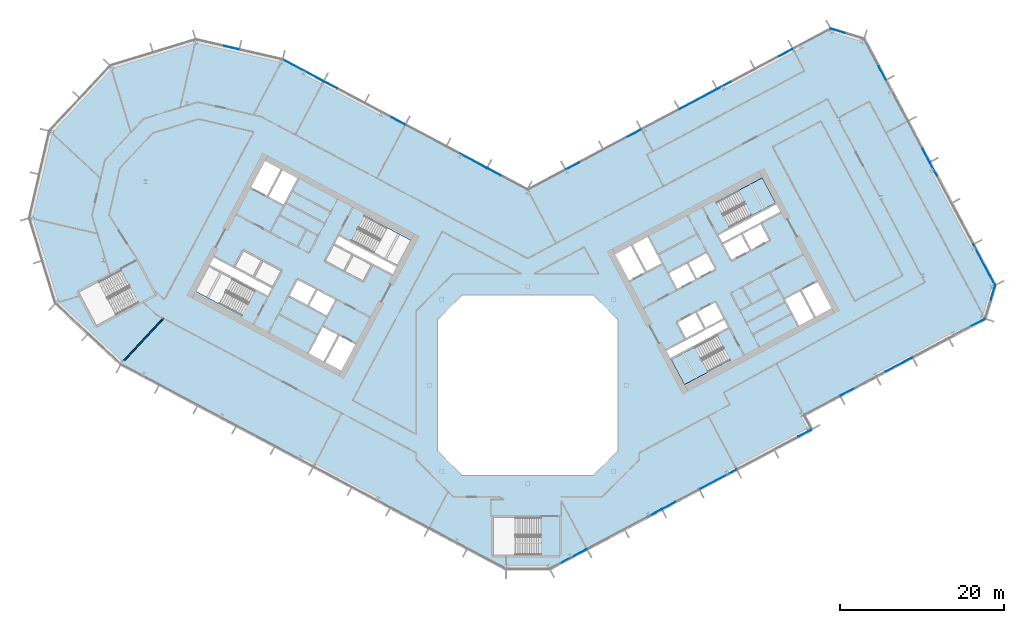
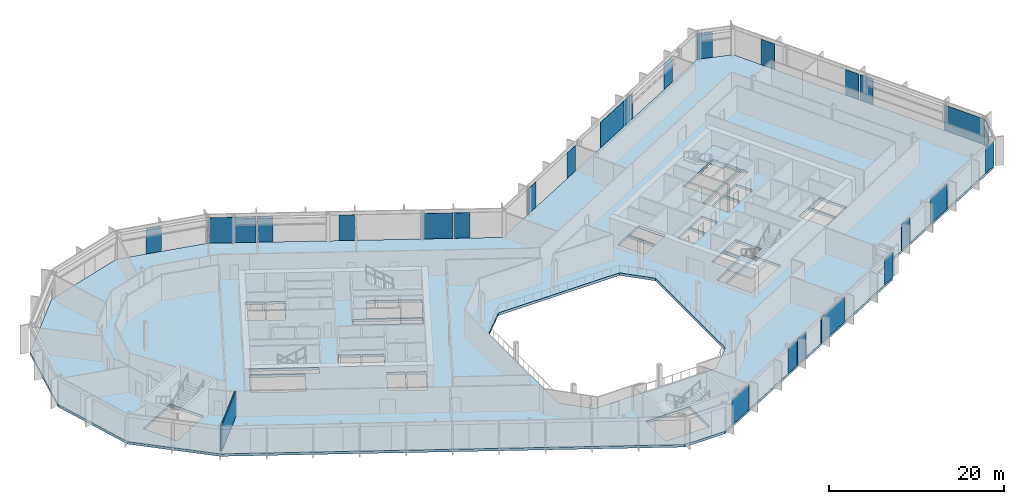
# One storey, part 12 of 28: 25 plates, 3 slabs, 1 wall, 10 elements without a shape of their own.
"""IFC4 building model written with IfcOpenShell, lengths in metres."""

import ifcopenshell
import ifcopenshell.guid

model = None  # the IFC model being written
_history = None  # IfcOwnerHistory: only IFC2X3 demands one
_inside = {}  # id of a spatial element -> (the spatial element, [elements in it])
_under = {}  # id of a project, library or spatial element -> (it, [spatial elements below it])
_declared = {}  # id of a project -> (the project, [libraries it declares])
_typed = {}  # id of a type object -> (the type object, [elements of that type])
_made_of = {}  # id of a material, layer set ... -> (it, [elements and type objects made of it])


def new_model(schema):
    """Start an empty IFC model of exactly this schema.

    Asked for "IFC4X3", IfcOpenShell would pick the latest addendum, in which some entities
    have other attributes; the version numbers below select the first issue.
    IFC2X3 requires an IfcOwnerHistory on every rooted entity: one is made here for all.
    """
    global model, _history
    if schema == "IFC4X3":
        model = ifcopenshell.file(schema_version=(4, 3, 0, 0))
    else:
        model = ifcopenshell.file(schema=schema)
    _inside.clear()
    _under.clear()
    _declared.clear()
    _typed.clear()
    _made_of.clear()
    _history = None
    if model.schema == "IFC2X3":
        org = make("IfcOrganization", Name="unknown")
        user = make(
            "IfcPersonAndOrganization",
            ThePerson=make("IfcPerson", FamilyName="unknown"),
            TheOrganization=org,
        )
        app = make(
            "IfcApplication",
            ApplicationDeveloper=org,
            Version="unknown",
            ApplicationFullName="unknown",
            ApplicationIdentifier="unknown",
        )
        _history = make(
            "IfcOwnerHistory",
            OwningUser=user,
            OwningApplication=app,
            ChangeAction="ADDED",
            CreationDate=0,
        )
    return model


def make(cls, **values):
    """One entity of the class cls with the attributes given. An attribute that is None is left unset."""
    return model.create_entity(
        cls, **{name: value for name, value in values.items() if value is not None}
    )


def rooted(cls, **values):
    """An entity with a GlobalId (a new one), such as an element, a storey or a relation."""
    return make(cls, GlobalId=ifcopenshell.guid.new(), OwnerHistory=_history, **values)


def si_unit(unit_type, name, prefix=None):
    """IfcSIUnit, for example si_unit("LENGTHUNIT", "METRE", prefix="MILLI")."""
    return make("IfcSIUnit", UnitType=unit_type, Prefix=prefix, Name=name)


def assignment(units):
    """IfcUnitAssignment: the units of a project."""
    return None if units is None else make("IfcUnitAssignment", Units=units)


def point(xyz):
    """IfcCartesianPoint."""
    return None if xyz is None else make("IfcCartesianPoint", Coordinates=xyz)


def direction(xyz):
    """IfcDirection."""
    return None if xyz is None else make("IfcDirection", DirectionRatios=xyz)


def frame(location, z_axis=None, x_axis=None):
    """IfcAxis2Placement3D, a coordinate frame: its origin and axes. An axis left out is left unset."""
    return make(
        "IfcAxis2Placement3D",
        Location=point(location),
        Axis=direction(z_axis),
        RefDirection=direction(x_axis),
    )


def frame_2d(location, x_axis=None):
    """IfcAxis2Placement2D, a coordinate frame in the plane: its origin and x axis."""
    return make(
        "IfcAxis2Placement2D", Location=point(location), RefDirection=direction(x_axis)
    )


def origin():
    """The frame at (0, 0, 0) with its axes left unset."""
    return frame((0.0, 0.0, 0.0))


def origin_2d():
    """The frame at (0, 0) in the plane with its x axis left unset."""
    return frame_2d((0.0, 0.0))


def place(relative_to, where):
    """IfcLocalPlacement: puts the frame where relative to a parent placement (None: the world)."""
    return make(
        "IfcLocalPlacement", PlacementRelTo=relative_to, RelativePlacement=where
    )


def context(
    kind, dimensions, precision=None, world=None, true_north=None, identifier=None
):
    """IfcGeometricRepresentationContext, for example the 3D "Model" context."""
    return make(
        "IfcGeometricRepresentationContext",
        ContextIdentifier=identifier,
        ContextType=kind,
        CoordinateSpaceDimension=dimensions,
        Precision=precision,
        WorldCoordinateSystem=world,
        TrueNorth=true_north,
    )


def subcontext(parent, identifier, kind, view, scale=None):
    """IfcGeometricRepresentationSubContext, for example "Body" below "Model"."""
    return make(
        "IfcGeometricRepresentationSubContext",
        ContextIdentifier=identifier,
        ContextType=kind,
        ParentContext=parent,
        TargetScale=scale,
        TargetView=view,
    )


def project(units=None, contexts=None):
    """IfcProject with its units and contexts."""
    return rooted(
        "IfcProject",
        Name="project",
        RepresentationContexts=contexts,
        UnitsInContext=assignment(units),
    )


def spatial(cls, under=None, at=None, **own):
    """A site, building, storey or space (cls), placed at a placement, below another one or the project."""
    s = rooted(cls, ObjectPlacement=at, **own)
    if under is not None:
        _under.setdefault(under.id(), (under, []))[1].append(s)
    return s


def polyline(points):
    """IfcPolyline through the points."""
    return make("IfcPolyline", Points=[point(p) for p in points])


def profile(cls, at=None, kind="AREA", **sizes):
    """A parametric profile (cls). Its sizes go by their IFC names, for example OverallWidth=200.0."""
    return make(cls, ProfileType=kind, Position=at, **sizes)


def rectangle(**sizes):
    """IfcRectangleProfileDef."""
    return profile("IfcRectangleProfileDef", **sizes)


def outline(outer, holes=None, kind="AREA"):
    """IfcArbitraryClosedProfileDef: a profile drawn as a closed curve; with holes, ...WithVoids."""
    if holes is None:
        return make("IfcArbitraryClosedProfileDef", ProfileType=kind, OuterCurve=outer)
    return make(
        "IfcArbitraryProfileDefWithVoids",
        ProfileType=kind,
        OuterCurve=outer,
        InnerCurves=holes,
    )


def extrude(swept, where, along, depth):
    """IfcExtrudedAreaSolid: the profile swept, set in the frame where, extruded along a direction by depth."""
    return make(
        "IfcExtrudedAreaSolid",
        SweptArea=swept,
        Position=where,
        ExtrudedDirection=direction(along),
        Depth=depth,
    )


def shape(context_of_items, identifier, shape_type, items):
    """IfcShapeRepresentation: the items that make up one representation, for example the "Body"."""
    return make(
        "IfcShapeRepresentation",
        ContextOfItems=context_of_items,
        RepresentationIdentifier=identifier,
        RepresentationType=shape_type,
        Items=items,
    )


def material(Name=None, Category=None):
    """IfcMaterial."""
    return make("IfcMaterial", Name=Name, Category=Category)


def layer(
    of_material, thickness, ventilated=None, Name=None, Category=None, Priority=None
):
    """IfcMaterialLayer: one layer of a wall or slab, of a material (None: an air gap)."""
    return make(
        "IfcMaterialLayer",
        Material=of_material,
        LayerThickness=thickness,
        IsVentilated=ventilated,
        Name=Name,
        Category=Category,
        Priority=Priority,
    )


def layer_set(layers, Name=None):
    """IfcMaterialLayerSet."""
    return make("IfcMaterialLayerSet", MaterialLayers=layers, LayerSetName=Name)


def made_of(thing, what):
    """Note that an element or type object is made of a material, layer set ...; save() writes the relation."""
    if what is not None:
        _made_of.setdefault(what.id(), (what, []))[1].append(thing)
    return thing


def type_object(cls, material=None, **own):
    """A type object (cls), such as IfcWallType, which elements share."""
    return made_of(rooted(cls, **own), material)


def element(
    cls,
    number,
    at=None,
    inside=None,
    cuts=None,
    type_object=None,
    material=None,
    context=None,
    identifier="Body",
    shape_type=None,
    held_by="IfcProductDefinitionShape",
    body=None,
    shapes=None,
    **own,
):
    """One element of the class cls, such as IfcWall. Its Tag is "e" and its number.

    at: its placement. inside: the storey or other place that contains it. cuts: it is an
    opening in that element (IfcRelVoidsElement). A single representation is given by context,
    identifier, shape_type and body (its items); several are given by shapes. held_by: the class
    of the entity that holds the representations. save() writes the other relations.
    """
    e = rooted(cls, Tag="e%d" % number, ObjectPlacement=at, **own)
    if body is not None:
        shapes = [shape(context, identifier, shape_type, body)]
    if shapes is not None:
        e.Representation = make(held_by, Representations=shapes)
    if inside is not None:
        _inside.setdefault(inside.id(), (inside, []))[1].append(e)
    if cuts is not None:
        rooted(
            "IfcRelVoidsElement", RelatingBuildingElement=cuts, RelatedOpeningElement=e
        )
    if type_object is not None:
        _typed.setdefault(type_object.id(), (type_object, []))[1].append(e)
    return made_of(e, material)


def aggregate(whole, parts):
    """IfcRelAggregates: a whole, such as a stair, and the parts it consists of."""
    return rooted("IfcRelAggregates", RelatingObject=whole, RelatedObjects=parts)


def save(model, path):
    """Write the relations noted so far, then the file.

    IfcRelAggregates (storeys below a building ...), IfcRelContainedInSpatialStructure (elements
    in a storey), IfcRelDefinesByType, IfcRelAssociatesMaterial and IfcRelDeclares: one each for
    every whole, place, type object, material and project.
    """
    for whole, parts in _under.values():
        aggregate(whole, parts)
    for where, things in _inside.values():
        rooted(
            "IfcRelContainedInSpatialStructure",
            RelatedElements=things,
            RelatingStructure=where,
        )
    for kind, things in _typed.values():
        rooted("IfcRelDefinesByType", RelatedObjects=things, RelatingType=kind)
    for what, things in _made_of.values():
        rooted("IfcRelAssociatesMaterial", RelatedObjects=things, RelatingMaterial=what)
    for by, libraries in _declared.values():
        rooted("IfcRelDeclares", RelatingContext=by, RelatedDefinitions=libraries)
    model.write(path)


model = new_model("IFC4")

# Units and contexts
model_context = context("Model", 3, precision=1e-05, world=origin(), true_north=direction((0.0, 1.0)))
body_context = subcontext(model_context, "Body", "Model", "MODEL_VIEW")
ifc_project = project(units=[si_unit("LENGTHUNIT", "METRE"), si_unit("AREAUNIT", "SQUARE_METRE"), si_unit("VOLUMEUNIT", "CUBIC_METRE"), si_unit("PLANEANGLEUNIT", "RADIAN"), si_unit("MASSUNIT", "GRAM", prefix="KILO")], contexts=[model_context])

# Site, building, storey
site_placement = place(None, origin())
site = spatial("IfcSite", under=ifc_project, at=site_placement, CompositionType="ELEMENT")
building_placement = place(site_placement, origin())
building = spatial("IfcBuilding", under=site, at=building_placement, Name="Cormorant Relay Tower", CompositionType="ELEMENT")
storey_placement = place(building_placement, frame((0.0, 0.0, 174.199951171875)))
storey = spatial("IfcBuildingStorey", under=building, at=storey_placement, Name="L37", CompositionType="ELEMENT", Elevation=174.199951171875)

# Curtain wall, plates
ifc_material_1 = material(Name="Aluminium 6063-T6 anodised bronze", Category="aluminium")
ifc_layer_1 = layer(ifc_material_1, 0.199951171875)
ifc_layer_set_1 = layer_set([ifc_layer_1], Name="CW1 unitised bronze curtain wall with vertical fins")
curtain_wall_type = type_object("IfcCurtainWallType", Name="CW1 unitised bronze curtain wall with vertical fins", PredefinedType="NOTDEFINED", material=ifc_layer_set_1)
curtain_wall_1_placement = place(storey_placement, origin())
curtain_wall_1 = element("IfcCurtainWall", 1, at=curtain_wall_1_placement, inside=storey, type_object=curtain_wall_type, Name="CW1 curtain wall 2", PredefinedType="NOTDEFINED")
ifc_material_2 = material(Name="Tinted laminated glass", Category="glass")
ifc_layer_2 = layer(ifc_material_2, 0.0400390625)
ifc_layer_set_2 = layer_set([ifc_layer_2], Name="CW1 tinted vision panel 1800 module")
plate_type_1 = type_object("IfcPlateType", Name="CW1 tinted vision panel 1800 module", PredefinedType="CURTAIN_PANEL", material=ifc_layer_set_2)
plate_1_placement = place(storey_placement, frame((15.48291015625, -15.57421875, 0.0), z_axis=(0.0, 0.0, 1.0), x_axis=(0.882947592859, 0.469471562786, 0.0)))
plate_1 = element("IfcPlate", 2, at=plate_1_placement, type_object=plate_type_1, Name="CW1 panel V03", PredefinedType="CURTAIN_PANEL", context=body_context, shape_type="SweptSolid", body=[
    extrude(rectangle(XDim=1.800048828125, YDim=0.0400390625, at=origin_2d()), origin(), (0.0, 0.0, 1.0), 3.550048828125),
])
plate_2_placement = place(storey_placement, frame((17.20458984375, -14.65869140625, 0.0), z_axis=(0.0, 0.0, 1.0), x_axis=(0.882947592859, 0.469471562786, 0.0)))
plate_2 = element("IfcPlate", 3, at=plate_2_placement, type_object=plate_type_1, Name="CW1 panel V04", PredefinedType="CURTAIN_PANEL", context=body_context, shape_type="SweptSolid", body=[
    extrude(rectangle(XDim=1.800048828125, YDim=0.0400390625, at=origin_2d()), origin(), (0.0, 0.0, 1.0), 3.550048828125),
])
plate_3_placement = place(storey_placement, frame((33.796142578125, -5.8369140625, 0.0), z_axis=(0.0, 0.0, 1.0), x_axis=(0.882947592859, 0.469471562786, 0.0)))
plate_3 = element("IfcPlate", 4, at=plate_3_placement, type_object=plate_type_1, Name="CW1 panel V08", PredefinedType="CURTAIN_PANEL", context=body_context, shape_type="SweptSolid", body=[
    extrude(rectangle(XDim=1.800048828125, YDim=0.0400390625, at=origin_2d()), origin(), (0.0, 0.0, 1.0), 3.550048828125),
])

curtain_wall_2_placement = place(storey_placement, origin())
curtain_wall_2 = element("IfcCurtainWall", 5, at=curtain_wall_2_placement, inside=storey, type_object=curtain_wall_type, Name="CW1 curtain wall 4", PredefinedType="NOTDEFINED")
plate_4_placement = place(storey_placement, frame((38.927490234375, -0.843505859375, 0.0), z_axis=(0.0, 0.0, 1.0), x_axis=(0.882947592859, 0.469471562786, 0.0)))
plate_4 = element("IfcPlate", 6, at=plate_4_placement, type_object=plate_type_1, Name="CW1 panel V01", PredefinedType="CURTAIN_PANEL", context=body_context, shape_type="SweptSolid", body=[
    extrude(rectangle(XDim=1.800048828125, YDim=0.0400390625, at=origin_2d()), origin(), (0.0, 0.0, 1.0), 3.550048828125),
])
plate_5_placement = place(storey_placement, frame((54.930908203125, 7.665771484375, 0.0), z_axis=(0.0, 0.0, 1.0), x_axis=(0.882947592859, 0.469471562786, 0.0)))
plate_5 = element("IfcPlate", 7, at=plate_5_placement, type_object=plate_type_1, Name="CW1 panel V05", PredefinedType="CURTAIN_PANEL", context=body_context, shape_type="SweptSolid", body=[
    extrude(rectangle(XDim=1.800048828125, YDim=0.0400390625, at=origin_2d()), origin(), (0.0, 0.0, 1.0), 3.550048828125),
])

# Curtain wall, plate
curtain_wall_3_placement = place(storey_placement, origin())
curtain_wall_3 = element("IfcCurtainWall", 8, at=curtain_wall_3_placement, inside=storey, type_object=curtain_wall_type, Name="CW1 curtain wall 5", PredefinedType="NOTDEFINED")
plate_6_placement = place(storey_placement, frame((56.712646484375, 11.296630859375, 0.0), z_axis=(0.0, 0.0, 1.0), x_axis=(0.292371704723, 0.956304755963, 0.0)))
plate_6 = element("IfcPlate", 9, at=plate_6_placement, type_object=plate_type_1, Name="CW1 panel V01", PredefinedType="CURTAIN_PANEL", context=body_context, shape_type="SweptSolid", body=[
    extrude(rectangle(XDim=1.800048828125, YDim=0.0400390625, at=origin_2d()), origin(), (0.0, 0.0, 1.0), 3.550048828125),
])
aggregate(curtain_wall_3, [plate_6])

# Curtain wall, plates
curtain_wall_4_placement = place(storey_placement, origin())
curtain_wall_4 = element("IfcCurtainWall", 10, at=curtain_wall_4_placement, inside=storey, type_object=curtain_wall_type, Name="CW1 curtain wall 6", PredefinedType="NOTDEFINED")
plate_7_placement = place(storey_placement, frame((49.450927734375, 26.322021484375, 0.0), z_axis=(0.0, 0.0, 1.0), x_axis=(-0.469471562786, 0.882947592859, 0.0)))
plate_7 = element("IfcPlate", 11, at=plate_7_placement, type_object=plate_type_1, Name="CW1 panel V02", PredefinedType="CURTAIN_PANEL", context=body_context, shape_type="SweptSolid", body=[
    extrude(rectangle(XDim=1.800048828125, YDim=0.0400390625, at=origin_2d()), origin(), (0.0, 0.0, 1.0), 3.550048828125),
])
plate_8_placement = place(storey_placement, frame((48.535400390625, 28.043701171875, 0.0), z_axis=(0.0, 0.0, 1.0), x_axis=(-0.469471562786, 0.882947592859, 0.0)))
plate_8 = element("IfcPlate", 12, at=plate_8_placement, type_object=plate_type_1, Name="CW1 panel V03", PredefinedType="CURTAIN_PANEL", context=body_context, shape_type="SweptSolid", body=[
    extrude(rectangle(XDim=1.800048828125, YDim=0.0400390625, at=origin_2d()), origin(), (0.0, 0.0, 1.0), 3.550048828125),
])
plate_9_placement = place(storey_placement, frame((43.21484375, 38.05029296875, 0.0), z_axis=(0.0, 0.0, 1.0), x_axis=(-0.469471562786, 0.882947592859, 0.0)))
plate_9 = element("IfcPlate", 13, at=plate_9_placement, type_object=plate_type_1, Name="CW1 panel V05", PredefinedType="CURTAIN_PANEL", context=body_context, shape_type="SweptSolid", body=[
    extrude(rectangle(XDim=1.800048828125, YDim=0.0400390625, at=origin_2d()), origin(), (0.0, 0.0, 1.0), 3.550048828125),
])

# Curtain wall, plate
curtain_wall_5_placement = place(storey_placement, origin())
curtain_wall_5 = element("IfcCurtainWall", 14, at=curtain_wall_5_placement, inside=storey, type_object=curtain_wall_type, Name="CW1 curtain wall 7", PredefinedType="NOTDEFINED")
plate_10_placement = place(storey_placement, frame((37.8037109375, 43.179931640625, 0.0), z_axis=(0.0, 0.0, 1.0), x_axis=(-0.956304755963, 0.292371704723, 0.0)))
plate_10 = element("IfcPlate", 15, at=plate_10_placement, type_object=plate_type_1, Name="CW1 panel V01", PredefinedType="CURTAIN_PANEL", context=body_context, shape_type="SweptSolid", body=[
    extrude(rectangle(XDim=1.800048828125, YDim=0.0400390625, at=origin_2d()), origin(), (0.0, 0.0, 1.0), 3.550048828125),
])
aggregate(curtain_wall_5, [plate_10])

# Curtain wall, plates
curtain_wall_6_placement = place(storey_placement, origin())
curtain_wall_6 = element("IfcCurtainWall", 16, at=curtain_wall_6_placement, inside=storey, type_object=curtain_wall_type, Name="CW1 curtain wall 8", PredefinedType="NOTDEFINED")
plate_11_placement = place(storey_placement, frame((31.449951171875, 40.52880859375, 0.0), z_axis=(0.0, 0.0, 1.0), x_axis=(-0.882947592859, -0.469471562786, 0.0)))
plate_11 = element("IfcPlate", 17, at=plate_11_placement, type_object=plate_type_1, Name="CW1 panel V01", PredefinedType="CURTAIN_PANEL", context=body_context, shape_type="SweptSolid", body=[
    extrude(rectangle(XDim=1.800048828125, YDim=0.0400390625, at=origin_2d()), origin(), (0.0, 0.0, 1.0), 3.550048828125),
])
plate_12_placement = place(storey_placement, frame((23.937255859375, 36.5341796875, 0.0), z_axis=(0.0, 0.0, 1.0), x_axis=(-0.882947592859, -0.469471562786, 0.0)))
plate_12 = element("IfcPlate", 18, at=plate_12_placement, type_object=plate_type_1, Name="CW1 panel V03", PredefinedType="CURTAIN_PANEL", context=body_context, shape_type="SweptSolid", body=[
    extrude(rectangle(XDim=1.800048828125, YDim=0.0400390625, at=origin_2d()), origin(), (0.0, 0.0, 1.0), 3.550048828125),
])
plate_13_placement = place(storey_placement, frame((12.981201171875, 30.708984375, 0.0), z_axis=(0.0, 0.0, 1.0), x_axis=(-0.882947592859, -0.469471562786, 0.0)))
plate_13 = element("IfcPlate", 19, at=plate_13_placement, type_object=plate_type_1, Name="CW1 panel V06", PredefinedType="CURTAIN_PANEL", context=body_context, shape_type="SweptSolid", body=[
    extrude(rectangle(XDim=1.800048828125, YDim=0.0400390625, at=origin_2d()), origin(), (0.0, 0.0, 1.0), 3.550048828125),
])
plate_14_placement = place(storey_placement, frame((5.468505859375, 26.71435546875, 0.0), z_axis=(0.0, 0.0, 1.0), x_axis=(-0.882947592859, -0.469471562786, 0.0)))
plate_14 = element("IfcPlate", 20, at=plate_14_placement, type_object=plate_type_1, Name="CW1 panel V08", PredefinedType="CURTAIN_PANEL", context=body_context, shape_type="SweptSolid", body=[
    extrude(rectangle(XDim=1.800048828125, YDim=0.0400390625, at=origin_2d()), origin(), (0.0, 0.0, 1.0), 3.550048828125),
])

curtain_wall_7_placement = place(storey_placement, origin())
curtain_wall_7 = element("IfcCurtainWall", 21, at=curtain_wall_7_placement, inside=storey, type_object=curtain_wall_type, Name="CW1 curtain wall 9", PredefinedType="NOTDEFINED")
plate_15_placement = place(storey_placement, frame((-4.108642578125, 25.9912109375, 0.0), z_axis=(0.0, 0.0, 1.0), x_axis=(-0.882947592859, 0.469471562786, 0.0)))
plate_15 = element("IfcPlate", 22, at=plate_15_placement, type_object=plate_type_1, Name="CW1 panel V01", PredefinedType="CURTAIN_PANEL", context=body_context, shape_type="SweptSolid", body=[
    extrude(rectangle(XDim=1.800048828125, YDim=0.0400390625, at=origin_2d()), origin(), (0.0, 0.0, 1.0), 3.550048828125),
])
plate_16_placement = place(storey_placement, frame((-15.788330078125, 32.201416015625, 0.0), z_axis=(0.0, 0.0, 1.0), x_axis=(-0.882947592859, 0.469471562786, 0.0)))
plate_16 = element("IfcPlate", 23, at=plate_16_placement, type_object=plate_type_1, Name="CW1 panel V04", PredefinedType="CURTAIN_PANEL", context=body_context, shape_type="SweptSolid", body=[
    extrude(rectangle(XDim=1.800048828125, YDim=0.0400390625, at=origin_2d()), origin(), (0.0, 0.0, 1.0), 3.550048828125),
])
plate_17_placement = place(storey_placement, frame((-24.0244140625, 36.580810546875, 0.0), z_axis=(0.0, 0.0, 1.0), x_axis=(-0.882947592859, 0.469471562786, 0.0)))
plate_17 = element("IfcPlate", 24, at=plate_17_placement, type_object=plate_type_1, Name="CW1 panel V06", PredefinedType="CURTAIN_PANEL", context=body_context, shape_type="SweptSolid", body=[
    extrude(rectangle(XDim=1.800048828125, YDim=0.0400390625, at=origin_2d()), origin(), (0.0, 0.0, 1.0), 3.550048828125),
])

# Curtain wall, plate
curtain_wall_8_placement = place(storey_placement, origin())
curtain_wall_8 = element("IfcCurtainWall", 25, at=curtain_wall_8_placement, inside=storey, type_object=curtain_wall_type, Name="CW1 curtain wall 10", PredefinedType="NOTDEFINED")
plate_18_placement = place(storey_placement, frame((-36.114990234375, 41.129638671875, 0.0), z_axis=(0.0, 0.0, 1.0), x_axis=(-0.974370064785, 0.224951054344, 0.0)))
plate_18 = element("IfcPlate", 26, at=plate_18_placement, type_object=plate_type_1, Name="CW1 panel V01", PredefinedType="CURTAIN_PANEL", context=body_context, shape_type="SweptSolid", body=[
    extrude(rectangle(XDim=1.800048828125, YDim=0.0400390625, at=origin_2d()), origin(), (0.0, 0.0, 1.0), 3.550048828125),
])
aggregate(curtain_wall_8, [plate_18])

# Plate
ifc_material_3 = material(Name="Tinted laminated glass", Category="glass")
ifc_layer_3 = layer(ifc_material_3, 0.0400390625)
ifc_layer_set_3 = layer_set([ifc_layer_3], Name="CW1 tinted vision panel 3600 module")
plate_type_2 = type_object("IfcPlateType", Name="CW1 tinted vision panel 3600 module", PredefinedType="CURTAIN_PANEL", material=ifc_layer_set_3)
plate_19_placement = place(storey_placement, frame((5.564453125, -20.847900390625, 0.0), z_axis=(0.0, 0.0, 1.0), x_axis=(0.882947592859, 0.469471562786, 0.0)))
plate_19 = element("IfcPlate", 27, at=plate_19_placement, type_object=plate_type_2, Name="CW1 panel V01", PredefinedType="CURTAIN_PANEL", context=body_context, shape_type="SweptSolid", body=[
    extrude(rectangle(XDim=3.60009765625, YDim=0.0400390625, at=origin_2d()), origin(), (0.0, 0.0, 1.0), 3.550048828125),
])

plate_20_placement = place(storey_placement, frame((45.240478515625, 2.513427734375, 0.0), z_axis=(0.0, 0.0, 1.0), x_axis=(0.882947592859, 0.469471562786, 0.0)))
plate_20 = element("IfcPlate", 28, at=plate_20_placement, type_object=plate_type_2, Name="CW1 panel V03", PredefinedType="CURTAIN_PANEL", context=body_context, shape_type="SweptSolid", body=[
    extrude(rectangle(XDim=3.60009765625, YDim=0.0400390625, at=origin_2d()), origin(), (0.0, 0.0, 1.0), 3.550048828125),
])

aggregate(curtain_wall_2, [plate_4, plate_20, plate_5])

plate_21_placement = place(storey_placement, frame((-6.625, 27.3291015625, 0.0), z_axis=(0.0, 0.0, 1.0), x_axis=(-0.882947592859, 0.469471562786, 0.0)))
plate_21 = element("IfcPlate", 29, at=plate_21_placement, type_object=plate_type_2, Name="CW1 panel V02", PredefinedType="CURTAIN_PANEL", context=body_context, shape_type="SweptSolid", body=[
    extrude(rectangle(XDim=3.60009765625, YDim=0.0400390625, at=origin_2d()), origin(), (0.0, 0.0, 1.0), 3.550048828125),
])

ifc_material_4 = material(Name="Tinted laminated glass", Category="glass")
ifc_layer_4 = layer(ifc_material_4, 0.0400390625)
ifc_layer_set_4 = layer_set([ifc_layer_4], Name="CW1 tinted vision panel 5400 module")
plate_type_3 = type_object("IfcPlateType", Name="CW1 tinted vision panel 5400 module", PredefinedType="CURTAIN_PANEL", material=ifc_layer_set_4)
plate_22_placement = place(storey_placement, frame((23.186279296875, -11.478271484375, 0.0), z_axis=(0.0, 0.0, 1.0), x_axis=(0.882947592859, 0.469471562786, 0.0)))
plate_22 = element("IfcPlate", 30, at=plate_22_placement, type_object=plate_type_3, Name="CW1 panel V06", PredefinedType="CURTAIN_PANEL", context=body_context, shape_type="SweptSolid", body=[
    extrude(rectangle(XDim=5.0166015625, YDim=0.0400390625, at=origin_2d()), origin(), (0.0, 0.0, 1.0), 3.550048828125),
])

aggregate(curtain_wall_1, [plate_19, plate_1, plate_2, plate_22, plate_3])

plate_23_placement = place(storey_placement, frame((55.64404296875, 14.67431640625, 0.0), z_axis=(0.0, 0.0, 1.0), x_axis=(-0.469471562786, 0.882947592859, 0.0)))
plate_23 = element("IfcPlate", 31, at=plate_23_placement, type_object=plate_type_3, Name="CW1 panel V00", PredefinedType="CURTAIN_PANEL", context=body_context, shape_type="SweptSolid", body=[
    extrude(rectangle(XDim=5.5166015625, YDim=0.0400390625, at=origin_2d()), origin(), (0.0, 0.0, 1.0), 3.550048828125),
])

aggregate(curtain_wall_4, [plate_23, plate_7, plate_8, plate_9])

plate_24_placement = place(storey_placement, frame((20.767822265625, 34.84912109375, 0.0), z_axis=(0.0, 0.0, 1.0), x_axis=(-0.882947592859, -0.469471562786, 0.0)))
plate_24 = element("IfcPlate", 32, at=plate_24_placement, type_object=plate_type_3, Name="CW1 panel V04", PredefinedType="CURTAIN_PANEL", context=body_context, shape_type="SweptSolid", body=[
    extrude(rectangle(XDim=5.079345703125, YDim=0.0400390625, at=origin_2d()), origin(), (0.0, 0.0, 1.0), 3.550048828125),
])

aggregate(curtain_wall_6, [plate_11, plate_12, plate_24, plate_13, plate_14])

plate_25_placement = place(storey_placement, frame((-27.407958984375, 38.379638671875, 0.0), z_axis=(0.0, 0.0, 1.0), x_axis=(-0.882947592859, 0.469471562786, 0.0)))
plate_25 = element("IfcPlate", 33, at=plate_25_placement, type_object=plate_type_3, Name="CW1 panel V07", PredefinedType="CURTAIN_PANEL", context=body_context, shape_type="SweptSolid", body=[
    extrude(rectangle(XDim=5.56396484375, YDim=0.0400390625, at=origin_2d()), origin(), (0.0, 0.0, 1.0), 3.550048828125),
])

aggregate(curtain_wall_7, [plate_15, plate_21, plate_16, plate_17, plate_25])

# Stair, slab
ifc_material_5 = material(Name="Concrete 40 MPa", Category="concrete")
stair_type = type_object("IfcStairType", Name="Exit stair 1500", PredefinedType="HALF_TURN_STAIR", material=ifc_material_5)
stair_1_placement = place(storey_placement, origin())
stair_1 = element("IfcStair", 34, at=stair_1_placement, inside=storey, type_object=stair_type, Name="L37 Stair", PredefinedType="HALF_TURN_STAIR")
ifc_material_6 = material(Name="Concrete 40 MPa", Category="concrete")
ifc_layer_5 = layer(ifc_material_6, 0.199951171875)
ifc_layer_set_5 = layer_set([ifc_layer_5], Name="Exit stair landing 200")
slab_type_1 = type_object("IfcSlabType", Name="Exit stair landing 200", PredefinedType="LANDING", material=ifc_layer_set_5)
slab_1_placement = place(storey_placement, frame((0.0, 0.0, 1.800048828125)))
slab_1 = element("IfcSlab", 35, at=slab_1_placement, type_object=slab_type_1, Name="B1 landing 1", PredefinedType="LANDING", context=body_context, shape_type="SweptSolid", body=[
    extrude(outline(polyline([(20.36767578125, 4.6572265625), (17.48046875, 3.1220703125), (19.10009765625, 0.075927734375), (21.9873046875, 1.611083984375), (20.36767578125, 4.6572265625)])), origin(), (0.0, 0.0, 1.0), 0.199951171875),
])
aggregate(stair_1, [slab_1])

stair_2_placement = place(storey_placement, origin())
stair_2 = element("IfcStair", 36, at=stair_2_placement, inside=storey, type_object=stair_type, Name="L37 Stair", PredefinedType="HALF_TURN_STAIR")
slab_2_placement = place(storey_placement, frame((0.0, 0.0, 1.800048828125)))
slab_2 = element("IfcSlab", 37, at=slab_2_placement, type_object=slab_type_1, Name="B2 landing 1", PredefinedType="LANDING", context=body_context, shape_type="SweptSolid", body=[
    extrude(outline(polyline([(27.3115234375, 20.6943359375), (30.19873046875, 22.2294921875), (28.5791015625, 25.275634765625), (25.69189453125, 23.740478515625), (27.3115234375, 20.6943359375)])), origin(), (0.0, 0.0, 1.0), 0.199951171875),
])
aggregate(stair_2, [slab_2])

# Slab
ifc_material_7 = material(Name="Concrete 40 MPa", Category="concrete")
ifc_layer_6 = layer(ifc_material_7, 0.360107421875)
ifc_layer_set_6 = layer_set([ifc_layer_6], Name="Flat plate 360")
slab_type_2 = type_object("IfcSlabType", Name="Flat plate 360", PredefinedType="FLOOR", material=ifc_layer_set_6)
slab_3_placement = place(storey_placement, frame((0.0, 0.0, -0.35986328125)))
element("IfcSlab", 38, at=slab_3_placement, inside=storey, type_object=slab_type_2, Name="Floor slab L37", PredefinedType="FLOOR", context=body_context, shape_type="SweptSolid", body=[
    extrude(outline(polyline([(-60.7197265625, 20.393310546875), (-58.2744140625, 30.985107421875), (-50.86083984375, 38.935302734375), (-40.465576171875, 42.11328125), (-29.873779296875, 39.668212890625), (0.0, 23.783935546875), (36.937255859375, 43.423828125), (40.99462890625, 42.18359375), (56.95654296875, 12.1630859375), (55.71630859375, 8.10595703125), (33.642578125, -3.630859375), (34.581298828125, -5.396728515625), (2.648681640625, -22.37548828125), (-2.648681640625, -22.37548828125), (-49.591552734375, 2.584228515625), (-57.541748046875, 9.997802734375), (-60.7197265625, 20.393310546875)]), holes=[polyline([(11.0, -8.0), (11.0, 8.0), (8.0, 11.0), (-8.0, 11.0), (-11.0, 8.0), (-11.0, -8.0), (-8.0, -11.0), (8.0, -11.0), (11.0, -8.0)]), polyline([(-4.199951171875, -16.125), (-4.199951171875, -20.675048828125), (1.60009765625, -20.675048828125), (1.60009765625, -16.125), (-4.199951171875, -16.125)]), polyline([(-22.95458984375, 6.03271484375), (-24.668212890625, 2.81005859375), (-22.725830078125, 1.777099609375), (-21.01220703125, 5.0), (-23.04296875, 6.07958984375), (-22.95458984375, 6.03271484375)]), polyline([(-24.985595703125, 7.112548828125), (-26.69921875, 3.889892578125), (-24.844970703125, 2.90380859375), (-23.13134765625, 6.126708984375), (-23.04296875, 6.07958984375), (-24.985595703125, 7.112548828125)]), polyline([(-24.481201171875, 8.48681640625), (-23.448486328125, 10.42919921875), (-25.656005859375, 11.602783203125), (-26.688720703125, 9.660400390625), (-24.481201171875, 8.48681640625)]), polyline([(-49.57861328125, 14.0537109375), (-54.69970703125, 11.330810546875), (-52.563720703125, 7.3134765625), (-47.442626953125, 10.036376953125), (-49.57861328125, 14.0537109375)]), polyline([(-25.83251953125, 11.69677734375), (-28.039794921875, 12.870361328125), (-29.07275390625, 10.927978515625), (-26.865234375, 9.75439453125), (-25.83251953125, 11.69677734375)]), polyline([(-38.847900390625, 14.483154296875), (-40.46728515625, 11.43701171875), (-34.860595703125, 8.455810546875), (-33.240966796875, 11.502197265625), (-38.847900390625, 14.483154296875)]), polyline([(-38.260986328125, 15.5869140625), (-38.75390625, 14.659912109375), (-31.690185546875, 10.904052734375), (-31.197265625, 11.8310546875), (-38.260986328125, 15.5869140625)]), polyline([(14.3056640625, 13.779052734375), (12.592041015625, 17.001708984375), (10.649658203125, 15.968994140625), (12.36328125, 12.74609375), (14.39404296875, 13.825927734375), (14.3056640625, 13.779052734375)]), polyline([(16.33642578125, 14.85888671875), (14.622802734375, 18.08154296875), (12.768798828125, 17.095703125), (14.482421875, 13.872802734375), (14.39404296875, 13.825927734375), (16.33642578125, 14.85888671875)]), polyline([(-16.481689453125, 13.520263671875), (-15.989013671875, 14.447509765625), (-23.052490234375, 18.203125), (-23.54541015625, 17.276123046875), (-16.481689453125, 13.520263671875)]), polyline([(-21.501708984375, 17.605224609375), (-15.89501953125, 14.6240234375), (-14.275390625, 17.670166015625), (-19.882080078125, 20.6513671875), (-21.501708984375, 17.605224609375)]), polyline([(-31.611572265625, 22.980712890625), (-29.75732421875, 21.99462890625), (-28.043701171875, 25.217529296875), (-29.89794921875, 26.203369140625), (-31.611572265625, 22.980712890625)]), polyline([(-32.01708984375, 27.330078125), (-33.73046875, 24.107421875), (-31.7880859375, 23.074462890625), (-30.074462890625, 26.29736328125), (-32.01708984375, 27.330078125)]), polyline([(17.48046875, 3.1220703125), (19.10009765625, 0.07568359375), (24.706787109375, 3.056884765625), (23.087158203125, 6.10302734375), (17.48046875, 3.1220703125)]), polyline([(16.8935546875, 4.2255859375), (17.386474609375, 3.298583984375), (24.4501953125, 7.054443359375), (23.957275390625, 7.9814453125), (16.8935546875, 4.2255859375)]), polyline([(20.446533203125, 8.8330078125), (18.239013671875, 7.6591796875), (19.27197265625, 5.716796875), (21.479248046875, 6.890380859375), (20.446533203125, 8.8330078125)]), polyline([(21.656005859375, 6.984375), (23.86328125, 8.158203125), (22.830322265625, 10.1005859375), (20.623046875, 8.927001953125), (21.656005859375, 6.984375)]), polyline([(33.197021484375, 11.478515625), (31.3427734375, 10.49267578125), (33.056396484375, 7.27001953125), (34.910400390625, 8.255859375), (33.197021484375, 11.478515625)]), polyline([(33.37353515625, 11.572509765625), (35.087158203125, 8.349609375), (37.029541015625, 9.382568359375), (35.31591796875, 12.605224609375), (33.37353515625, 11.572509765625)]), polyline([(17.19384765625, 13.67236328125), (18.2265625, 11.72998046875), (20.43408203125, 12.903564453125), (19.401123046875, 14.84619140625), (17.19384765625, 13.67236328125)]), polyline([(20.610595703125, 12.99755859375), (22.81787109375, 14.171142578125), (21.78515625, 16.113525390625), (19.57763671875, 14.93994140625), (20.610595703125, 12.99755859375)]), polyline([(26.023193359375, 18.3671875), (23.81591796875, 17.193359375), (24.8486328125, 15.2509765625), (27.05615234375, 16.424560546875), (26.023193359375, 18.3671875)]), polyline([(29.440185546875, 17.692138671875), (28.4072265625, 19.634765625), (26.19970703125, 18.4609375), (27.232666015625, 16.5185546875), (29.440185546875, 17.692138671875)]), polyline([(30.78564453125, 21.125732421875), (30.29248046875, 22.052978515625), (23.22900390625, 18.297119140625), (23.721923828125, 17.3701171875), (30.78564453125, 21.125732421875)]), polyline([(24.592041015625, 19.248291015625), (30.19873046875, 22.2294921875), (28.5791015625, 25.275634765625), (22.972412109375, 22.29443359375), (24.592041015625, 19.248291015625)])]), origin(), (0.0, 0.0, 1.0), 0.35986328125),
])

# Wall
ifc_material_8 = material(Name="Gypsum board partition")
ifc_layer_7 = layer(ifc_material_8, 0.14990234375)
ifc_layer_set_7 = layer_set([ifc_layer_7], Name="Tenant partition 150")
wall_type = type_object("IfcWallType", Name="Tenant partition 150", PredefinedType="PARTITIONING", material=ifc_layer_set_7)
wall_placement = place(storey_placement, frame((-44.402099609375, 8.14892578125, 0.0), z_axis=(0.0, 0.0, 1.0), x_axis=(-0.682039957921, -0.731314908777, 0.0)))
element("IfcWall", 39, at=wall_placement, inside=storey, type_object=wall_type, Name="wall/L37/part/011", PredefinedType="PARTITIONING", context=body_context, shape_type="SweptSolid", body=[
    extrude(rectangle(XDim=7.0654296875, YDim=0.14990234375, at=frame_2d((3.53271484375, 0.0))), origin(), (0.0, 0.0, 1.0), 3.60009765625),
])

save(model, "model.ifc")
